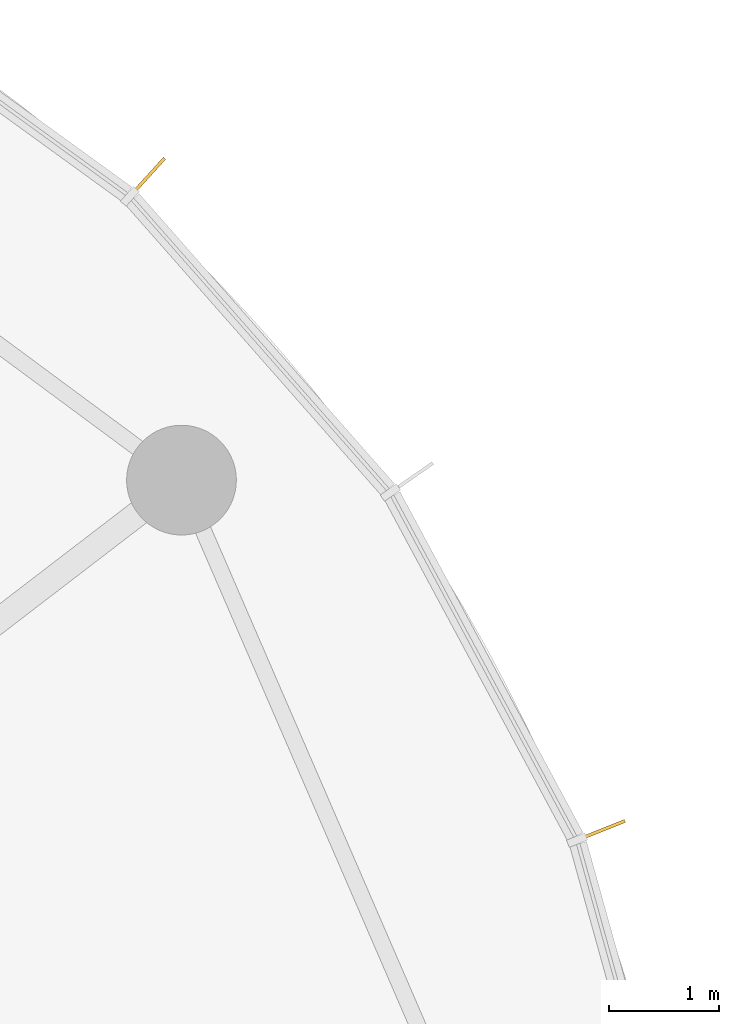
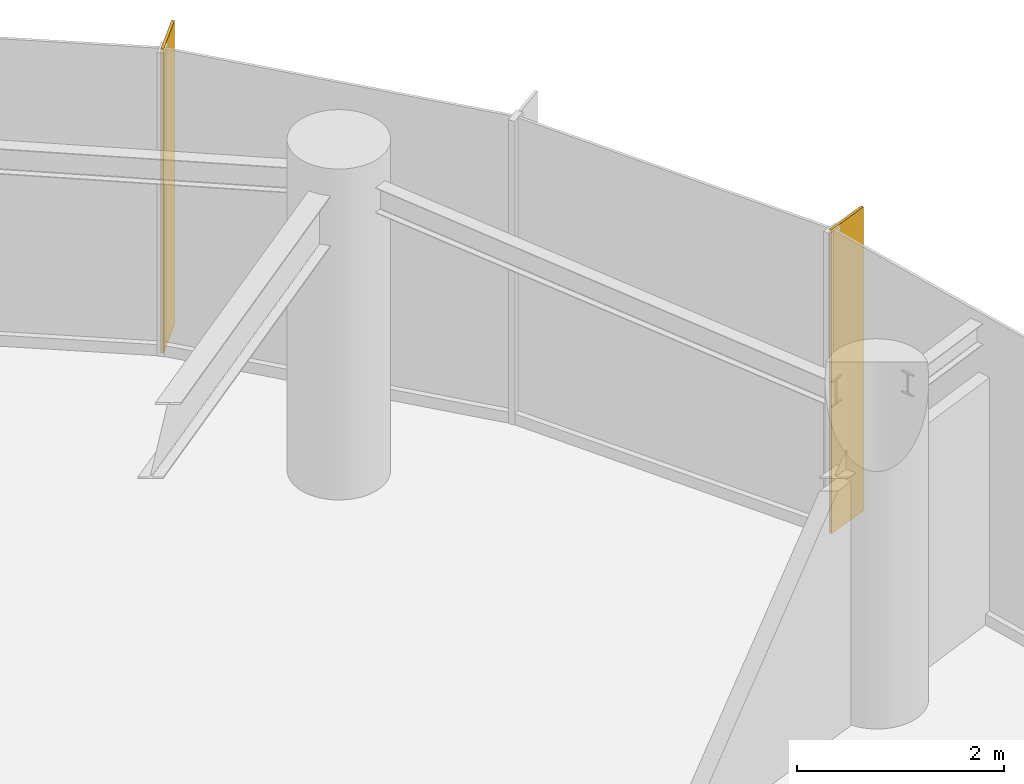
# One storey, part 14 of 14: 2 shading devices.
"""IFC4 building model written with IfcOpenShell, lengths in metres."""

import ifcopenshell
import ifcopenshell.guid

model = None  # the IFC model being written
_history = None  # IfcOwnerHistory: only IFC2X3 demands one
_inside = {}  # id of a spatial element -> (the spatial element, [elements in it])
_under = {}  # id of a project, library or spatial element -> (it, [spatial elements below it])
_declared = {}  # id of a project -> (the project, [libraries it declares])
_typed = {}  # id of a type object -> (the type object, [elements of that type])
_made_of = {}  # id of a material, layer set ... -> (it, [elements and type objects made of it])


def new_model(schema):
    """Start an empty IFC model of exactly this schema.

    Asked for "IFC4X3", IfcOpenShell would pick the latest addendum, in which some entities
    have other attributes; the version numbers below select the first issue.
    IFC2X3 requires an IfcOwnerHistory on every rooted entity: one is made here for all.
    """
    global model, _history
    if schema == "IFC4X3":
        model = ifcopenshell.file(schema_version=(4, 3, 0, 0))
    else:
        model = ifcopenshell.file(schema=schema)
    _inside.clear()
    _under.clear()
    _declared.clear()
    _typed.clear()
    _made_of.clear()
    _history = None
    if model.schema == "IFC2X3":
        org = make("IfcOrganization", Name="unknown")
        user = make(
            "IfcPersonAndOrganization",
            ThePerson=make("IfcPerson", FamilyName="unknown"),
            TheOrganization=org,
        )
        app = make(
            "IfcApplication",
            ApplicationDeveloper=org,
            Version="unknown",
            ApplicationFullName="unknown",
            ApplicationIdentifier="unknown",
        )
        _history = make(
            "IfcOwnerHistory",
            OwningUser=user,
            OwningApplication=app,
            ChangeAction="ADDED",
            CreationDate=0,
        )
    return model


def make(cls, **values):
    """One entity of the class cls with the attributes given. An attribute that is None is left unset."""
    return model.create_entity(
        cls, **{name: value for name, value in values.items() if value is not None}
    )


def rooted(cls, **values):
    """An entity with a GlobalId (a new one), such as an element, a storey or a relation."""
    return make(cls, GlobalId=ifcopenshell.guid.new(), OwnerHistory=_history, **values)


def si_unit(unit_type, name, prefix=None):
    """IfcSIUnit, for example si_unit("LENGTHUNIT", "METRE", prefix="MILLI")."""
    return make("IfcSIUnit", UnitType=unit_type, Prefix=prefix, Name=name)


def assignment(units):
    """IfcUnitAssignment: the units of a project."""
    return None if units is None else make("IfcUnitAssignment", Units=units)


def point(xyz):
    """IfcCartesianPoint."""
    return None if xyz is None else make("IfcCartesianPoint", Coordinates=xyz)


def direction(xyz):
    """IfcDirection."""
    return None if xyz is None else make("IfcDirection", DirectionRatios=xyz)


def frame(location, z_axis=None, x_axis=None):
    """IfcAxis2Placement3D, a coordinate frame: its origin and axes. An axis left out is left unset."""
    return make(
        "IfcAxis2Placement3D",
        Location=point(location),
        Axis=direction(z_axis),
        RefDirection=direction(x_axis),
    )


def frame_2d(location, x_axis=None):
    """IfcAxis2Placement2D, a coordinate frame in the plane: its origin and x axis."""
    return make(
        "IfcAxis2Placement2D", Location=point(location), RefDirection=direction(x_axis)
    )


def origin():
    """The frame at (0, 0, 0) with its axes left unset."""
    return frame((0.0, 0.0, 0.0))


def origin_2d():
    """The frame at (0, 0) in the plane with its x axis left unset."""
    return frame_2d((0.0, 0.0))


def place(relative_to, where):
    """IfcLocalPlacement: puts the frame where relative to a parent placement (None: the world)."""
    return make(
        "IfcLocalPlacement", PlacementRelTo=relative_to, RelativePlacement=where
    )


def context(
    kind, dimensions, precision=None, world=None, true_north=None, identifier=None
):
    """IfcGeometricRepresentationContext, for example the 3D "Model" context."""
    return make(
        "IfcGeometricRepresentationContext",
        ContextIdentifier=identifier,
        ContextType=kind,
        CoordinateSpaceDimension=dimensions,
        Precision=precision,
        WorldCoordinateSystem=world,
        TrueNorth=true_north,
    )


def subcontext(parent, identifier, kind, view, scale=None):
    """IfcGeometricRepresentationSubContext, for example "Body" below "Model"."""
    return make(
        "IfcGeometricRepresentationSubContext",
        ContextIdentifier=identifier,
        ContextType=kind,
        ParentContext=parent,
        TargetScale=scale,
        TargetView=view,
    )


def project(units=None, contexts=None):
    """IfcProject with its units and contexts."""
    return rooted(
        "IfcProject",
        Name="project",
        RepresentationContexts=contexts,
        UnitsInContext=assignment(units),
    )


def spatial(cls, under=None, at=None, **own):
    """A site, building, storey or space (cls), placed at a placement, below another one or the project."""
    s = rooted(cls, ObjectPlacement=at, **own)
    if under is not None:
        _under.setdefault(under.id(), (under, []))[1].append(s)
    return s


def profile(cls, at=None, kind="AREA", **sizes):
    """A parametric profile (cls). Its sizes go by their IFC names, for example OverallWidth=200.0."""
    return make(cls, ProfileType=kind, Position=at, **sizes)


def rectangle(**sizes):
    """IfcRectangleProfileDef."""
    return profile("IfcRectangleProfileDef", **sizes)


def extrude(swept, where, along, depth):
    """IfcExtrudedAreaSolid: the profile swept, set in the frame where, extruded along a direction by depth."""
    return make(
        "IfcExtrudedAreaSolid",
        SweptArea=swept,
        Position=where,
        ExtrudedDirection=direction(along),
        Depth=depth,
    )


def shape(context_of_items, identifier, shape_type, items):
    """IfcShapeRepresentation: the items that make up one representation, for example the "Body"."""
    return make(
        "IfcShapeRepresentation",
        ContextOfItems=context_of_items,
        RepresentationIdentifier=identifier,
        RepresentationType=shape_type,
        Items=items,
    )


def source(mapping_origin, context_of_items, identifier, shape_type, items):
    """IfcRepresentationMap: a shape defined once, which mapped items show again and again."""
    return make(
        "IfcRepresentationMap",
        MappingOrigin=mapping_origin,
        MappedRepresentation=shape(context_of_items, identifier, shape_type, items),
    )


def transform(
    local_origin,
    x_axis=None,
    y_axis=None,
    z_axis=None,
    scale=None,
    scale2=None,
    scale3=None,
    uniform=True,
):
    """IfcCartesianTransformationOperator3D, or its non-uniform kind. x_axis, y_axis, z_axis: its Axis1, 2, 3."""
    if uniform:
        return make(
            "IfcCartesianTransformationOperator3D",
            Axis1=direction(x_axis),
            Axis2=direction(y_axis),
            LocalOrigin=point(local_origin),
            Scale=scale,
            Axis3=direction(z_axis),
        )
    return make(
        "IfcCartesianTransformationOperator3DnonUniform",
        Axis1=direction(x_axis),
        Axis2=direction(y_axis),
        LocalOrigin=point(local_origin),
        Scale=scale,
        Axis3=direction(z_axis),
        Scale2=scale2,
        Scale3=scale3,
    )


def mapped(mapping_source, mapping_target):
    """IfcMappedItem: shows the shape of a source again, moved by a transform."""
    return make(
        "IfcMappedItem", MappingSource=mapping_source, MappingTarget=mapping_target
    )


def material(Name=None, Category=None):
    """IfcMaterial."""
    return make("IfcMaterial", Name=Name, Category=Category)


def material_profile(
    of_material, cross_section, Name=None, Category=None, Priority=None
):
    """IfcMaterialProfile: a cross section and its material."""
    return make(
        "IfcMaterialProfile",
        Name=Name,
        Material=of_material,
        Profile=cross_section,
        Priority=Priority,
        Category=Category,
    )


def profile_set(profiles, Name=None, composite=None):
    """IfcMaterialProfileSet."""
    return make(
        "IfcMaterialProfileSet",
        Name=Name,
        MaterialProfiles=profiles,
        CompositeProfile=composite,
    )


def made_of(thing, what):
    """Note that an element or type object is made of a material, layer set ...; save() writes the relation."""
    if what is not None:
        _made_of.setdefault(what.id(), (what, []))[1].append(thing)
    return thing


def type_object(cls, material=None, **own):
    """A type object (cls), such as IfcWallType, which elements share."""
    return made_of(rooted(cls, **own), material)


def element(
    cls,
    number,
    at=None,
    inside=None,
    cuts=None,
    type_object=None,
    material=None,
    context=None,
    identifier="Body",
    shape_type=None,
    held_by="IfcProductDefinitionShape",
    body=None,
    shapes=None,
    **own,
):
    """One element of the class cls, such as IfcWall. Its Tag is "e" and its number.

    at: its placement. inside: the storey or other place that contains it. cuts: it is an
    opening in that element (IfcRelVoidsElement). A single representation is given by context,
    identifier, shape_type and body (its items); several are given by shapes. held_by: the class
    of the entity that holds the representations. save() writes the other relations.
    """
    e = rooted(cls, Tag="e%d" % number, ObjectPlacement=at, **own)
    if body is not None:
        shapes = [shape(context, identifier, shape_type, body)]
    if shapes is not None:
        e.Representation = make(held_by, Representations=shapes)
    if inside is not None:
        _inside.setdefault(inside.id(), (inside, []))[1].append(e)
    if cuts is not None:
        rooted(
            "IfcRelVoidsElement", RelatingBuildingElement=cuts, RelatedOpeningElement=e
        )
    if type_object is not None:
        _typed.setdefault(type_object.id(), (type_object, []))[1].append(e)
    return made_of(e, material)


def aggregate(whole, parts):
    """IfcRelAggregates: a whole, such as a stair, and the parts it consists of."""
    return rooted("IfcRelAggregates", RelatingObject=whole, RelatedObjects=parts)


def save(model, path):
    """Write the relations noted so far, then the file.

    IfcRelAggregates (storeys below a building ...), IfcRelContainedInSpatialStructure (elements
    in a storey), IfcRelDefinesByType, IfcRelAssociatesMaterial and IfcRelDeclares: one each for
    every whole, place, type object, material and project.
    """
    for whole, parts in _under.values():
        aggregate(whole, parts)
    for where, things in _inside.values():
        rooted(
            "IfcRelContainedInSpatialStructure",
            RelatedElements=things,
            RelatingStructure=where,
        )
    for kind, things in _typed.values():
        rooted("IfcRelDefinesByType", RelatedObjects=things, RelatingType=kind)
    for what, things in _made_of.values():
        rooted("IfcRelAssociatesMaterial", RelatedObjects=things, RelatingMaterial=what)
    for by, libraries in _declared.values():
        rooted("IfcRelDeclares", RelatingContext=by, RelatedDefinitions=libraries)
    model.write(path)


model = new_model("IFC4")

# Units and contexts
model_context = context("Model", 3, precision=1e-05, world=origin(), true_north=direction((0.0, 1.0)))
body_context = subcontext(model_context, "Body", "Model", "MODEL_VIEW")
ifc_project = project(units=[si_unit("LENGTHUNIT", "METRE"), si_unit("AREAUNIT", "SQUARE_METRE"), si_unit("VOLUMEUNIT", "CUBIC_METRE"), si_unit("PLANEANGLEUNIT", "RADIAN"), si_unit("MASSUNIT", "GRAM", prefix="KILO")], contexts=[model_context])

# Site, building, storey
site_placement = place(None, origin())
site = spatial("IfcSite", under=ifc_project, at=site_placement, CompositionType="ELEMENT")
building_placement = place(site_placement, origin())
building = spatial("IfcBuilding", under=site, at=building_placement, Name="Spindrift Exchange Tower", CompositionType="ELEMENT")
storey_placement = place(building_placement, frame((0.0, 0.0, 152.60009765625)))
storey = spatial("IfcBuildingStorey", under=building, at=storey_placement, Name="L36", CompositionType="ELEMENT", Elevation=152.60009765625)

# Shading devices
ifc_material = material(Name="Bronze anodised aluminium", Category="aluminium")
ifc_material_profile = material_profile(ifc_material, rectangle(XDim=0.030029296875, YDim=0.5, at=origin_2d()), Name="WIND FIN 30X500")
ifc_profile_set = profile_set([ifc_material_profile], Name="Bronze anodised aluminium")
shading_device_type = type_object("IfcShadingDeviceType", Name="WIND FIN 30X500", PredefinedType="USERDEFINED", material=ifc_profile_set)
shared_shape = source(origin(), body_context, "Body", "SweptSolid", [
    extrude(rectangle(XDim=0.030029296875, YDim=0.5, at=origin_2d()), origin(), (0.0, 0.0, 1.0), 3.579833984375),
])
for number, where, z_axis, x_axis, name in (
    (1, (71.50341796875, 65.961181640625, 0.0), (0.0, 0.0, 1.0), (-0.739763813605, 0.672866628746, 0.0), "L36 wind fin 3"),
    (2, (75.63525390625, 60.014892578125, 0.0), (0.0, 0.0, 1.0), (-0.372631491543, 0.927979402525, 0.0), "L36 wind fin 4"),
):
    element("IfcShadingDevice", number, at=place(storey_placement, frame(where, z_axis=z_axis, x_axis=x_axis)), inside=storey, type_object=shading_device_type, Name=name, ObjectType="FIN", PredefinedType="USERDEFINED", context=body_context, shape_type="MappedRepresentation", body=[
        mapped(shared_shape, transform((0.0, 0.0, 0.0), scale=1.0)),
    ])

save(model, "model.ifc")
